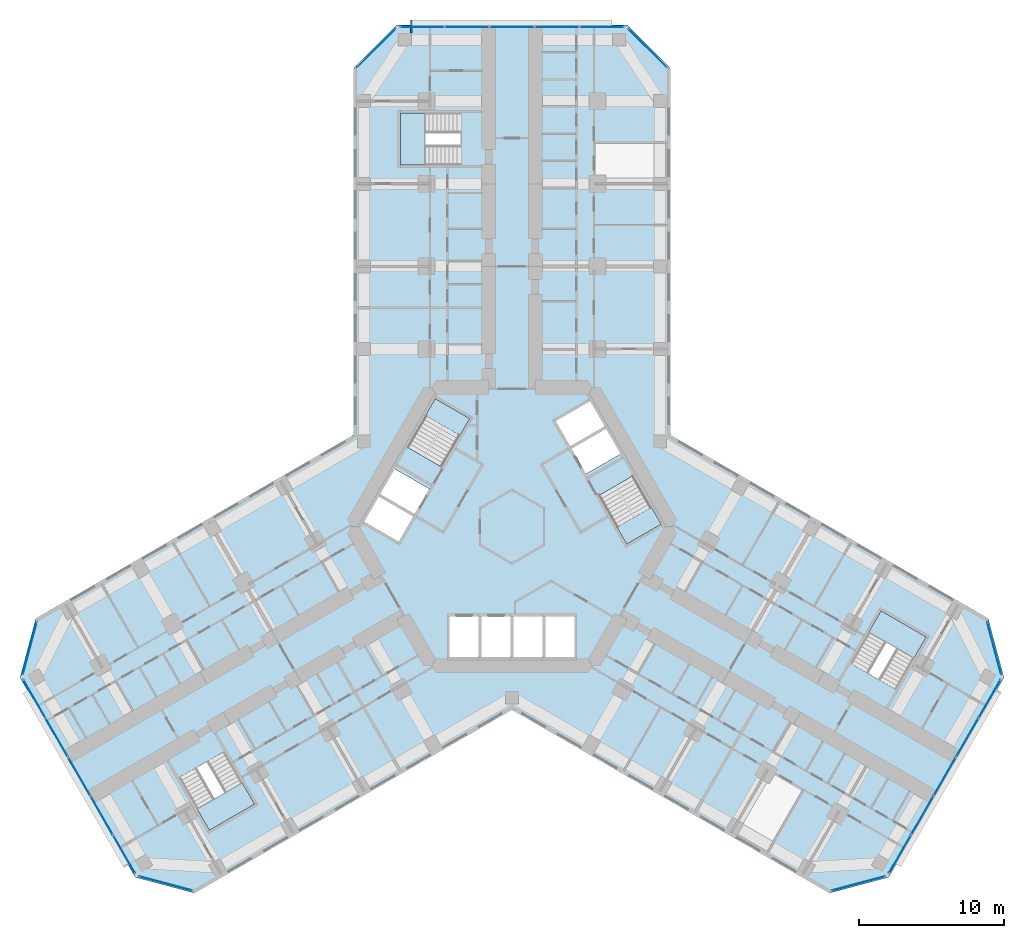
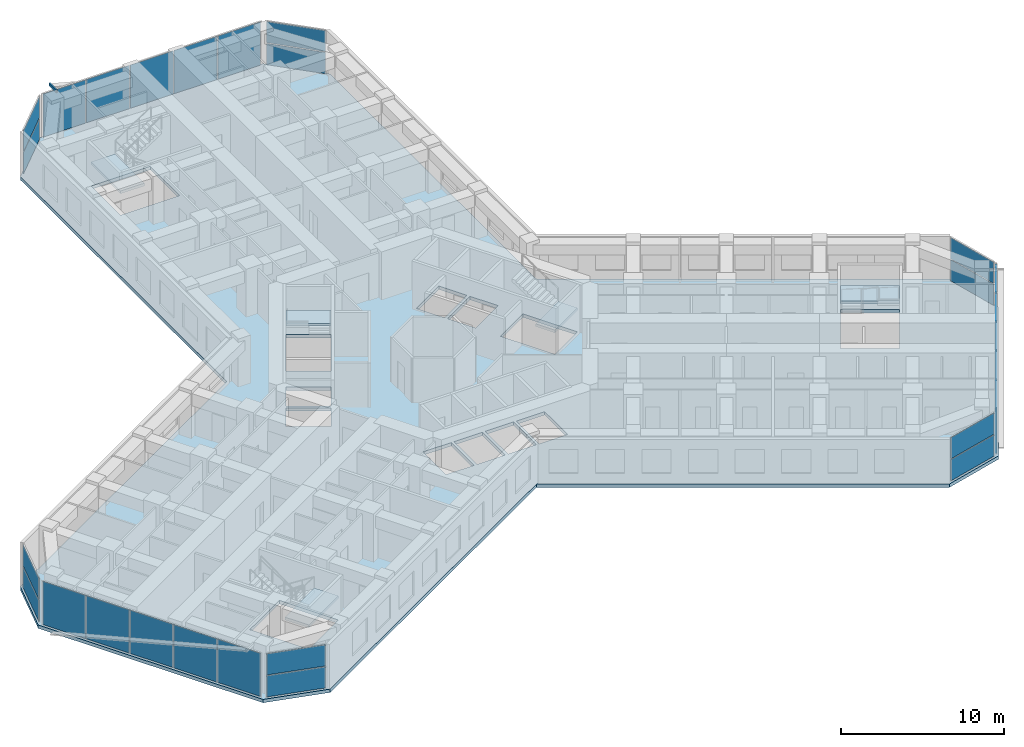
# One storey, part 9 of 21: 27 plates, 6 slabs, 1 member, 14 elements without a shape of their own.
"""IFC4 building model written with IfcOpenShell, lengths in metres."""

from ifc_helpers import new_model, si_unit, direction, frame, origin, origin_2d, place, context, subcontext, project, spatial, polyline, rectangle, hollow_rectangle, outline, extrude, material, layer, layer_set, material_profile, profile_set, type_object, element, aggregate, save


model = new_model("IFC4")

# Units and contexts
model_context = context("Model", 3, precision=1e-05, world=origin(), true_north=direction((0.0, 1.0)))
body_context = subcontext(model_context, "Body", "Model", "MODEL_VIEW")
ifc_project = project(units=[si_unit("LENGTHUNIT", "METRE"), si_unit("AREAUNIT", "SQUARE_METRE"), si_unit("VOLUMEUNIT", "CUBIC_METRE"), si_unit("PLANEANGLEUNIT", "RADIAN"), si_unit("MASSUNIT", "GRAM", prefix="KILO")], contexts=[model_context])

# Site, building, storey
site_placement = place(None, origin())
site = spatial("IfcSite", under=ifc_project, at=site_placement, CompositionType="ELEMENT")
building_placement = place(site_placement, origin())
building = spatial("IfcBuilding", under=site, at=building_placement, Name="Kosmar Iwan School Tower", CompositionType="ELEMENT")
storey_placement = place(building_placement, frame((0.0, 0.0, 98.800048828125)))
storey = spatial("IfcBuildingStorey", under=building, at=storey_placement, Name="L24", CompositionType="ELEMENT", Elevation=98.800048828125)

# Member
ifc_material_1 = material(Name="Steel S355", Category="steel")
ifc_material_profile = material_profile(ifc_material_1, hollow_rectangle(XDim=0.10009765625, YDim=0.199951171875, WallThickness=0.008056640625, at=origin_2d()), Name="RHS 200x100x8")
ifc_profile_set = profile_set([ifc_material_profile], Name="Steel S355")
member_type = type_object("IfcMemberType", Name="Fin bracket RHS 200x100", PredefinedType="USERDEFINED", material=ifc_profile_set)
member_placement = place(storey_placement, frame((-6.949951171875, 34.050048828125, 3.474853515625), z_axis=(0.0, 1.0, 0.0), x_axis=(-1.0, 0.0, 0.0)))
element("IfcMember", 1, at=member_placement, inside=storey, type_object=member_type, Name="Fin bracket L25", ObjectType="FIN BRACKET", PredefinedType="USERDEFINED", context=body_context, shape_type="SweptSolid", body=[
    extrude(hollow_rectangle(XDim=0.10009765625, YDim=0.199951171875, WallThickness=0.008056640625, at=origin_2d()), origin(), (0.0, 0.0, 1.0), 0.89990234375),
])

# Curtain wall, plates
ifc_material_2 = material(Name="Dark glass in black aluminium frame", Category="aluminium")
curtain_wall_type_1 = type_object("IfcCurtainWallType", Name="Chamfer curtain wall dark glass", PredefinedType="USERDEFINED", material=ifc_material_2)
curtain_wall_1_placement = place(storey_placement, origin())
curtain_wall_1 = element("IfcCurtainWall", 2, at=curtain_wall_1_placement, inside=storey, type_object=curtain_wall_type_1, Name="Curtain wall L24-F02", ObjectType="FACETED CURTAIN WALL", PredefinedType="USERDEFINED")
ifc_material_3 = material(Name="Dark glass", Category="glass")
ifc_layer_1 = layer(ifc_material_3, 0.028076171875)
ifc_layer_set_1 = layer_set([ifc_layer_1], Name="Dark glass panel 28")
plate_type = type_object("IfcPlateType", Name="Dark glass panel 28", PredefinedType="CURTAIN_PANEL", material=ifc_layer_set_1)
plate_1_placement = place(storey_placement, frame((23.908203125, -24.61328125, 0.06005859375), z_axis=(0.0, 0.0, 1.0), x_axis=(0.965925875495, 0.258818861462, 0.0)))
plate_1 = element("IfcPlate", 3, at=plate_1_placement, type_object=plate_type, Name="CW2 panel 1.1", PredefinedType="CURTAIN_PANEL", context=body_context, shape_type="SweptSolid", body=[
    extrude(rectangle(XDim=3.718994140625, YDim=0.028076171875, at=origin_2d()), origin(), (0.0, 0.0, 1.0), 1.5849609375),
])
plate_2_placement = place(storey_placement, frame((23.908203125, -24.61328125, 1.705078125), z_axis=(0.0, 0.0, 1.0), x_axis=(0.965925875495, 0.258818861462, 0.0)))
plate_2 = element("IfcPlate", 4, at=plate_2_placement, type_object=plate_type, Name="CW2 panel 1.2", PredefinedType="CURTAIN_PANEL", context=body_context, shape_type="SweptSolid", body=[
    extrude(rectangle(XDim=3.718994140625, YDim=0.028076171875, at=origin_2d()), origin(), (0.0, 0.0, 1.0), 1.5849609375),
])
aggregate(curtain_wall_1, [plate_1, plate_2])

ifc_material_4 = material(Name="Dark glass in black aluminium frame", Category="aluminium")
curtain_wall_type_2 = type_object("IfcCurtainWallType", Name="Tower curtain wall dark glass", PredefinedType="USERDEFINED", material=ifc_material_4)
curtain_wall_2_placement = place(storey_placement, origin())
curtain_wall_2 = element("IfcCurtainWall", 5, at=curtain_wall_2_placement, inside=storey, type_object=curtain_wall_type_2, Name="Curtain wall L24-F03", ObjectType="UNITISED CURTAIN WALL", PredefinedType="USERDEFINED")
plate_3_placement = place(storey_placement, frame((26.764404296875, -22.592529296875, 0.06005859375), z_axis=(0.0, 0.0, 1.0), x_axis=(0.499999997325, 0.866025405329, 0.0)))
plate_3 = element("IfcPlate", 6, at=plate_3_placement, type_object=plate_type, Name="CW1 panel 1.1", PredefinedType="CURTAIN_PANEL", context=body_context, shape_type="SweptSolid", body=[
    extrude(rectangle(XDim=3.00927734375, YDim=0.028076171875, at=origin_2d()), origin(), (0.0, 0.0, 1.0), 3.22998046875),
])
plate_4_placement = place(storey_placement, frame((28.306640625, -19.921630859375, 0.06005859375), z_axis=(0.0, 0.0, 1.0), x_axis=(0.499999997325, 0.866025405329, 0.0)))
plate_4 = element("IfcPlate", 7, at=plate_4_placement, type_object=plate_type, Name="CW1 panel 2.1", PredefinedType="CURTAIN_PANEL", context=body_context, shape_type="SweptSolid", body=[
    extrude(rectangle(XDim=3.039306640625, YDim=0.028076171875, at=origin_2d()), origin(), (0.0, 0.0, 1.0), 3.22998046875),
])
plate_5_placement = place(storey_placement, frame((29.856201171875, -17.237548828125, 0.06005859375), z_axis=(0.0, 0.0, 1.0), x_axis=(0.499999997325, 0.866025405329, 0.0)))
plate_5 = element("IfcPlate", 8, at=plate_5_placement, type_object=plate_type, Name="CW1 panel 3.1", PredefinedType="CURTAIN_PANEL", context=body_context, shape_type="SweptSolid", body=[
    extrude(rectangle(XDim=3.039306640625, YDim=0.028076171875, at=origin_2d()), origin(), (0.0, 0.0, 1.0), 3.22998046875),
])
plate_6_placement = place(storey_placement, frame((31.40576171875, -14.553466796875, 0.06005859375), z_axis=(0.0, 0.0, 1.0), x_axis=(0.499999997325, 0.866025405329, 0.0)))
plate_6 = element("IfcPlate", 9, at=plate_6_placement, type_object=plate_type, Name="CW1 panel 4.1", PredefinedType="CURTAIN_PANEL", context=body_context, shape_type="SweptSolid", body=[
    extrude(rectangle(XDim=3.039306640625, YDim=0.028076171875, at=origin_2d()), origin(), (0.0, 0.0, 1.0), 3.22998046875),
])
plate_7_placement = place(storey_placement, frame((32.947998046875, -11.88232421875, 0.06005859375), z_axis=(0.0, 0.0, 1.0), x_axis=(0.499999997325, 0.866025405329, 0.0)))
plate_7 = element("IfcPlate", 10, at=plate_7_placement, type_object=plate_type, Name="CW1 panel 5.1", PredefinedType="CURTAIN_PANEL", context=body_context, shape_type="SweptSolid", body=[
    extrude(rectangle(XDim=3.00927734375, YDim=0.028076171875, at=origin_2d()), origin(), (0.0, 0.0, 1.0), 3.22998046875),
])
aggregate(curtain_wall_2, [plate_3, plate_4, plate_5, plate_6, plate_7])

curtain_wall_3_placement = place(storey_placement, origin())
curtain_wall_3 = element("IfcCurtainWall", 11, at=curtain_wall_3_placement, inside=storey, type_object=curtain_wall_type_1, Name="Curtain wall L24-F04", ObjectType="FACETED CURTAIN WALL", PredefinedType="USERDEFINED")
plate_8_placement = place(storey_placement, frame((33.269775390625, -8.3984375, 0.06005859375), z_axis=(0.0, 0.0, 1.0), x_axis=(-0.258818861462, 0.965925875495, 0.0)))
plate_8 = element("IfcPlate", 12, at=plate_8_placement, type_object=plate_type, Name="CW2 panel 1.1", PredefinedType="CURTAIN_PANEL", context=body_context, shape_type="SweptSolid", body=[
    extrude(rectangle(XDim=3.718994140625, YDim=0.028076171875, at=origin_2d()), origin(), (0.0, 0.0, 1.0), 1.5849609375),
])
plate_9_placement = place(storey_placement, frame((33.269775390625, -8.3984375, 1.705078125), z_axis=(0.0, 0.0, 1.0), x_axis=(-0.258818861462, 0.965925875495, 0.0)))
plate_9 = element("IfcPlate", 13, at=plate_9_placement, type_object=plate_type, Name="CW2 panel 1.2", PredefinedType="CURTAIN_PANEL", context=body_context, shape_type="SweptSolid", body=[
    extrude(rectangle(XDim=3.718994140625, YDim=0.028076171875, at=origin_2d()), origin(), (0.0, 0.0, 1.0), 1.5849609375),
])
aggregate(curtain_wall_3, [plate_8, plate_9])

curtain_wall_4_placement = place(storey_placement, origin())
curtain_wall_4 = element("IfcCurtainWall", 14, at=curtain_wall_4_placement, inside=storey, type_object=curtain_wall_type_1, Name="Curtain wall L24-F07", ObjectType="FACETED CURTAIN WALL", PredefinedType="USERDEFINED")
plate_10_placement = place(storey_placement, frame((9.361572265625, 33.01171875, 0.06005859375), z_axis=(0.0, 0.0, 1.0), x_axis=(-0.707106781187, 0.707106781187, 0.0)))
plate_10 = element("IfcPlate", 15, at=plate_10_placement, type_object=plate_type, Name="CW2 panel 1.1", PredefinedType="CURTAIN_PANEL", context=body_context, shape_type="SweptSolid", body=[
    extrude(rectangle(XDim=3.718994140625, YDim=0.028076171875, at=origin_2d()), origin(), (0.0, 0.0, 1.0), 1.5849609375),
])
plate_11_placement = place(storey_placement, frame((9.361572265625, 33.01171875, 1.705078125), z_axis=(0.0, 0.0, 1.0), x_axis=(-0.707106781187, 0.707106781187, 0.0)))
plate_11 = element("IfcPlate", 16, at=plate_11_placement, type_object=plate_type, Name="CW2 panel 1.2", PredefinedType="CURTAIN_PANEL", context=body_context, shape_type="SweptSolid", body=[
    extrude(rectangle(XDim=3.718994140625, YDim=0.028076171875, at=origin_2d()), origin(), (0.0, 0.0, 1.0), 1.5849609375),
])
aggregate(curtain_wall_4, [plate_10, plate_11])

curtain_wall_5_placement = place(storey_placement, origin())
curtain_wall_5 = element("IfcCurtainWall", 17, at=curtain_wall_5_placement, inside=storey, type_object=curtain_wall_type_2, Name="Curtain wall L24-F08", ObjectType="UNITISED CURTAIN WALL", PredefinedType="USERDEFINED")
plate_12_placement = place(storey_placement, frame((6.18359375, 34.47509765625, 0.06005859375), z_axis=(0.0, 0.0, 1.0), x_axis=(-1.0, 0.0, 0.0)))
plate_12 = element("IfcPlate", 18, at=plate_12_placement, type_object=plate_type, Name="CW1 panel 1.1", PredefinedType="CURTAIN_PANEL", context=body_context, shape_type="SweptSolid", body=[
    extrude(rectangle(XDim=3.00927734375, YDim=0.028076171875, at=origin_2d()), origin(), (0.0, 0.0, 1.0), 3.22998046875),
])
plate_13_placement = place(storey_placement, frame((3.099365234375, 34.47509765625, 0.06005859375), z_axis=(0.0, 0.0, 1.0), x_axis=(-1.0, 0.0, 0.0)))
plate_13 = element("IfcPlate", 19, at=plate_13_placement, type_object=plate_type, Name="CW1 panel 2.1", PredefinedType="CURTAIN_PANEL", context=body_context, shape_type="SweptSolid", body=[
    extrude(rectangle(XDim=3.039306640625, YDim=0.028076171875, at=origin_2d()), origin(), (0.0, 0.0, 1.0), 3.22998046875),
])
plate_14_placement = place(storey_placement, frame((0.0, 34.47509765625, 0.06005859375), z_axis=(0.0, 0.0, 1.0), x_axis=(-1.0, 0.0, 0.0)))
plate_14 = element("IfcPlate", 20, at=plate_14_placement, type_object=plate_type, Name="CW1 panel 3.1", PredefinedType="CURTAIN_PANEL", context=body_context, shape_type="SweptSolid", body=[
    extrude(rectangle(XDim=3.039306640625, YDim=0.028076171875, at=origin_2d()), origin(), (0.0, 0.0, 1.0), 3.22998046875),
])
plate_15_placement = place(storey_placement, frame((-3.099365234375, 34.47509765625, 0.06005859375), z_axis=(0.0, 0.0, 1.0), x_axis=(-1.0, 0.0, 0.0)))
plate_15 = element("IfcPlate", 21, at=plate_15_placement, type_object=plate_type, Name="CW1 panel 4.1", PredefinedType="CURTAIN_PANEL", context=body_context, shape_type="SweptSolid", body=[
    extrude(rectangle(XDim=3.039306640625, YDim=0.028076171875, at=origin_2d()), origin(), (0.0, 0.0, 1.0), 3.22998046875),
])
plate_16_placement = place(storey_placement, frame((-6.18359375, 34.47509765625, 0.06005859375), z_axis=(0.0, 0.0, 1.0), x_axis=(-1.0, 0.0, 0.0)))
plate_16 = element("IfcPlate", 22, at=plate_16_placement, type_object=plate_type, Name="CW1 panel 5.1", PredefinedType="CURTAIN_PANEL", context=body_context, shape_type="SweptSolid", body=[
    extrude(rectangle(XDim=3.00927734375, YDim=0.028076171875, at=origin_2d()), origin(), (0.0, 0.0, 1.0), 3.22998046875),
])
aggregate(curtain_wall_5, [plate_12, plate_13, plate_14, plate_15, plate_16])

curtain_wall_6_placement = place(storey_placement, origin())
curtain_wall_6 = element("IfcCurtainWall", 23, at=curtain_wall_6_placement, inside=storey, type_object=curtain_wall_type_1, Name="Curtain wall L24-F09", ObjectType="FACETED CURTAIN WALL", PredefinedType="USERDEFINED")
plate_17_placement = place(storey_placement, frame((-9.361572265625, 33.01171875, 0.06005859375), z_axis=(0.0, 0.0, 1.0), x_axis=(-0.707106781187, -0.707106781187, 0.0)))
plate_17 = element("IfcPlate", 24, at=plate_17_placement, type_object=plate_type, Name="CW2 panel 1.1", PredefinedType="CURTAIN_PANEL", context=body_context, shape_type="SweptSolid", body=[
    extrude(rectangle(XDim=3.718994140625, YDim=0.028076171875, at=origin_2d()), origin(), (0.0, 0.0, 1.0), 1.5849609375),
])
plate_18_placement = place(storey_placement, frame((-9.361572265625, 33.01171875, 1.705078125), z_axis=(0.0, 0.0, 1.0), x_axis=(-0.707106781187, -0.707106781187, 0.0)))
plate_18 = element("IfcPlate", 25, at=plate_18_placement, type_object=plate_type, Name="CW2 panel 1.2", PredefinedType="CURTAIN_PANEL", context=body_context, shape_type="SweptSolid", body=[
    extrude(rectangle(XDim=3.718994140625, YDim=0.028076171875, at=origin_2d()), origin(), (0.0, 0.0, 1.0), 1.5849609375),
])
aggregate(curtain_wall_6, [plate_17, plate_18])

curtain_wall_7_placement = place(storey_placement, origin())
curtain_wall_7 = element("IfcCurtainWall", 26, at=curtain_wall_7_placement, inside=storey, type_object=curtain_wall_type_1, Name="Curtain wall L24-F12", ObjectType="FACETED CURTAIN WALL", PredefinedType="USERDEFINED")
plate_19_placement = place(storey_placement, frame((-33.269775390625, -8.3984375, 0.06005859375), z_axis=(0.0, 0.0, 1.0), x_axis=(-0.258818861462, -0.965925875495, 0.0)))
plate_19 = element("IfcPlate", 27, at=plate_19_placement, type_object=plate_type, Name="CW2 panel 1.1", PredefinedType="CURTAIN_PANEL", context=body_context, shape_type="SweptSolid", body=[
    extrude(rectangle(XDim=3.718994140625, YDim=0.028076171875, at=origin_2d()), origin(), (0.0, 0.0, 1.0), 1.5849609375),
])
plate_20_placement = place(storey_placement, frame((-33.269775390625, -8.3984375, 1.705078125), z_axis=(0.0, 0.0, 1.0), x_axis=(-0.258818861462, -0.965925875495, 0.0)))
plate_20 = element("IfcPlate", 28, at=plate_20_placement, type_object=plate_type, Name="CW2 panel 1.2", PredefinedType="CURTAIN_PANEL", context=body_context, shape_type="SweptSolid", body=[
    extrude(rectangle(XDim=3.718994140625, YDim=0.028076171875, at=origin_2d()), origin(), (0.0, 0.0, 1.0), 1.5849609375),
])
aggregate(curtain_wall_7, [plate_19, plate_20])

curtain_wall_8_placement = place(storey_placement, origin())
curtain_wall_8 = element("IfcCurtainWall", 29, at=curtain_wall_8_placement, inside=storey, type_object=curtain_wall_type_2, Name="Curtain wall L24-F13", ObjectType="UNITISED CURTAIN WALL", PredefinedType="USERDEFINED")
plate_21_placement = place(storey_placement, frame((-32.947998046875, -11.88232421875, 0.06005859375), z_axis=(0.0, 0.0, 1.0), x_axis=(0.499999997325, -0.866025405329, 0.0)))
plate_21 = element("IfcPlate", 30, at=plate_21_placement, type_object=plate_type, Name="CW1 panel 1.1", PredefinedType="CURTAIN_PANEL", context=body_context, shape_type="SweptSolid", body=[
    extrude(rectangle(XDim=3.00927734375, YDim=0.028076171875, at=origin_2d()), origin(), (0.0, 0.0, 1.0), 3.22998046875),
])
plate_22_placement = place(storey_placement, frame((-31.40576171875, -14.553466796875, 0.06005859375), z_axis=(0.0, 0.0, 1.0), x_axis=(0.499999997325, -0.866025405329, 0.0)))
plate_22 = element("IfcPlate", 31, at=plate_22_placement, type_object=plate_type, Name="CW1 panel 2.1", PredefinedType="CURTAIN_PANEL", context=body_context, shape_type="SweptSolid", body=[
    extrude(rectangle(XDim=3.039306640625, YDim=0.028076171875, at=origin_2d()), origin(), (0.0, 0.0, 1.0), 3.22998046875),
])
plate_23_placement = place(storey_placement, frame((-29.856201171875, -17.237548828125, 0.06005859375), z_axis=(0.0, 0.0, 1.0), x_axis=(0.499999997325, -0.866025405329, 0.0)))
plate_23 = element("IfcPlate", 32, at=plate_23_placement, type_object=plate_type, Name="CW1 panel 3.1", PredefinedType="CURTAIN_PANEL", context=body_context, shape_type="SweptSolid", body=[
    extrude(rectangle(XDim=3.039306640625, YDim=0.028076171875, at=origin_2d()), origin(), (0.0, 0.0, 1.0), 3.22998046875),
])
plate_24_placement = place(storey_placement, frame((-28.306640625, -19.921630859375, 0.06005859375), z_axis=(0.0, 0.0, 1.0), x_axis=(0.499999997325, -0.866025405329, 0.0)))
plate_24 = element("IfcPlate", 33, at=plate_24_placement, type_object=plate_type, Name="CW1 panel 4.1", PredefinedType="CURTAIN_PANEL", context=body_context, shape_type="SweptSolid", body=[
    extrude(rectangle(XDim=3.039306640625, YDim=0.028076171875, at=origin_2d()), origin(), (0.0, 0.0, 1.0), 3.22998046875),
])
plate_25_placement = place(storey_placement, frame((-26.764404296875, -22.592529296875, 0.06005859375), z_axis=(0.0, 0.0, 1.0), x_axis=(0.499999997325, -0.866025405329, 0.0)))
plate_25 = element("IfcPlate", 34, at=plate_25_placement, type_object=plate_type, Name="CW1 panel 5.1", PredefinedType="CURTAIN_PANEL", context=body_context, shape_type="SweptSolid", body=[
    extrude(rectangle(XDim=3.00927734375, YDim=0.028076171875, at=origin_2d()), origin(), (0.0, 0.0, 1.0), 3.22998046875),
])
aggregate(curtain_wall_8, [plate_21, plate_22, plate_23, plate_24, plate_25])

curtain_wall_9_placement = place(storey_placement, origin())
curtain_wall_9 = element("IfcCurtainWall", 35, at=curtain_wall_9_placement, inside=storey, type_object=curtain_wall_type_1, Name="Curtain wall L24-F14", ObjectType="FACETED CURTAIN WALL", PredefinedType="USERDEFINED")
plate_26_placement = place(storey_placement, frame((-23.908203125, -24.61328125, 0.06005859375), z_axis=(0.0, 0.0, 1.0), x_axis=(0.965925875495, -0.258818861462, 0.0)))
plate_26 = element("IfcPlate", 36, at=plate_26_placement, type_object=plate_type, Name="CW2 panel 1.1", PredefinedType="CURTAIN_PANEL", context=body_context, shape_type="SweptSolid", body=[
    extrude(rectangle(XDim=3.718994140625, YDim=0.028076171875, at=origin_2d()), origin(), (0.0, 0.0, 1.0), 1.5849609375),
])
plate_27_placement = place(storey_placement, frame((-23.908203125, -24.61328125, 1.705078125), z_axis=(0.0, 0.0, 1.0), x_axis=(0.965925875495, -0.258818861462, 0.0)))
plate_27 = element("IfcPlate", 37, at=plate_27_placement, type_object=plate_type, Name="CW2 panel 1.2", PredefinedType="CURTAIN_PANEL", context=body_context, shape_type="SweptSolid", body=[
    extrude(rectangle(XDim=3.718994140625, YDim=0.028076171875, at=origin_2d()), origin(), (0.0, 0.0, 1.0), 1.5849609375),
])
aggregate(curtain_wall_9, [plate_26, plate_27])

# Stair, slab
ifc_material_5 = material(Name="Concrete C35/45", Category="concrete")
stair_type_1 = type_object("IfcStairType", Name="Escape stair 3600", PredefinedType="HALF_TURN_STAIR", material=ifc_material_5)
stair_1_placement = place(storey_placement, origin())
stair_1 = element("IfcStair", 38, at=stair_1_placement, inside=storey, type_object=stair_type_1, Name="Stair WS1 L24", PredefinedType="HALF_TURN_STAIR")
ifc_material_6 = material(Name="Concrete C35/45", Category="concrete")
ifc_layer_2 = layer(ifc_material_6, 0.199951171875)
ifc_layer_set_2 = layer_set([ifc_layer_2], Name="Escape stair landing 200")
slab_type_1 = type_object("IfcSlabType", Name="Escape stair landing 200", PredefinedType="LANDING", material=ifc_layer_set_2)
slab_1_placement = place(storey_placement, frame((0.0, 0.0, 1.599853515625)))
slab_1 = element("IfcSlab", 39, at=slab_1_placement, type_object=slab_type_1, Name="WS1 landing 1", PredefinedType="LANDING", context=body_context, shape_type="SweptSolid", body=[
    extrude(outline(polyline([(-6.0, 24.949951171875), (-6.0, 28.550048828125), (-7.699951171875, 28.550048828125), (-7.699951171875, 24.949951171875), (-6.0, 24.949951171875)])), origin(), (0.0, 0.0, 1.0), 0.2001953125),
])
aggregate(stair_1, [slab_1])

stair_2_placement = place(storey_placement, origin())
stair_2 = element("IfcStair", 40, at=stair_2_placement, inside=storey, type_object=stair_type_1, Name="Stair WS2 L24", PredefinedType="HALF_TURN_STAIR")
slab_2_placement = place(storey_placement, frame((0.0, 0.0, 1.599853515625)))
slab_2 = element("IfcSlab", 41, at=slab_2_placement, type_object=slab_type_1, Name="WS2 landing 1", PredefinedType="LANDING", context=body_context, shape_type="SweptSolid", body=[
    extrude(outline(polyline([(-18.607421875, -17.671142578125), (-21.72509765625, -19.47119140625), (-20.875, -20.943359375), (-17.75732421875, -19.143310546875), (-18.607421875, -17.671142578125)])), origin(), (0.0, 0.0, 1.0), 0.2001953125),
])
aggregate(stair_2, [slab_2])

stair_3_placement = place(storey_placement, origin())
stair_3 = element("IfcStair", 42, at=stair_3_placement, inside=storey, type_object=stair_type_1, Name="Stair WS3 L24", PredefinedType="HALF_TURN_STAIR")
slab_3_placement = place(storey_placement, frame((0.0, 0.0, 1.599853515625)))
slab_3 = element("IfcSlab", 43, at=slab_3_placement, type_object=slab_type_1, Name="WS3 landing 1", PredefinedType="LANDING", context=body_context, shape_type="SweptSolid", body=[
    extrude(outline(polyline([(24.607421875, -7.27880859375), (27.72509765625, -9.078857421875), (28.574951171875, -7.606689453125), (25.457275390625, -5.806640625), (24.607421875, -7.27880859375)])), origin(), (0.0, 0.0, 1.0), 0.2001953125),
])
aggregate(stair_3, [slab_3])

# Slab
ifc_material_7 = material(Name="Concrete C35/45", Category="concrete")
ifc_layer_3 = layer(ifc_material_7, 0.25)
ifc_layer_set_3 = layer_set([ifc_layer_3], Name="Floor slab 250")
slab_type_2 = type_object("IfcSlabType", Name="Floor slab 250", PredefinedType="FLOOR", material=ifc_layer_set_3)
slab_4_placement = place(storey_placement, frame((0.0, 0.0, -0.25)))
element("IfcSlab", 44, at=slab_4_placement, inside=storey, type_object=slab_type_2, Name="L24 floor slab", PredefinedType="FLOOR", context=body_context, shape_type="SweptSolid", body=[
    extrude(outline(polyline([(-21.891357421875, -25.282958984375), (0.0, -12.64404296875), (21.891357421875, -25.282958984375), (25.989501953125, -24.184814453125), (33.939453125, -10.4150390625), (32.84130859375, -6.317138671875), (10.949951171875, 6.322021484375), (10.949951171875, 31.60009765625), (7.949951171875, 34.60009765625), (-7.949951171875, 34.60009765625), (-10.949951171875, 31.60009765625), (-10.949951171875, 6.322021484375), (-32.84130859375, -6.317138671875), (-33.939453125, -10.4150390625), (-25.989501953125, -24.184814453125), (-21.891357421875, -25.282958984375)]), holes=[polyline([(7.91259765625, -1.205078125), (10.294189453125, 0.169921875), (8.3642578125, 3.5126953125), (5.982666015625, 2.1376953125), (7.91259765625, -1.205078125)]), polyline([(-2.91259765625, 7.455078125), (-5.294189453125, 8.830078125), (-7.22412109375, 5.4873046875), (-4.8427734375, 4.1123046875), (-2.91259765625, 7.455078125)]), polyline([(-5.712646484375, 2.60546875), (-8.09423828125, 3.98046875), (-9.09423828125, 2.248291015625), (-6.712646484375, 0.873291015625), (-5.712646484375, 2.60546875)]), polyline([(-6.812744140625, 0.7001953125), (-9.1943359375, 2.0751953125), (-10.1943359375, 0.343017578125), (-7.812744140625, -1.031982421875), (-6.812744140625, 0.7001953125)]), polyline([(5.112548828125, 3.64453125), (7.494140625, 5.01953125), (6.494140625, 6.751708984375), (4.112548828125, 5.376708984375), (5.112548828125, 3.64453125)]), polyline([(4.0126953125, 5.5498046875), (6.394287109375, 6.9248046875), (5.394287109375, 8.656982421875), (3.0126953125, 7.281982421875), (4.0126953125, 5.5498046875)]), polyline([(-4.300048828125, -6.199951171875), (-4.300048828125, -9.0), (-2.300048828125, -9.0), (-2.300048828125, -6.199951171875), (-4.300048828125, -6.199951171875)]), polyline([(-2.10009765625, -6.199951171875), (-2.10009765625, -9.0), (-0.10009765625, -9.0), (-0.10009765625, -6.199951171875), (-2.10009765625, -6.199951171875)]), polyline([(0.10009765625, -6.199951171875), (0.10009765625, -9.0), (2.10009765625, -9.0), (2.10009765625, -6.199951171875), (0.10009765625, -6.199951171875)]), polyline([(2.300048828125, -6.199951171875), (2.300048828125, -9.0), (4.300048828125, -9.0), (4.300048828125, -6.199951171875), (2.300048828125, -6.199951171875)]), polyline([(-3.52001953125, 24.949951171875), (-3.52001953125, 28.550048828125), (-7.699951171875, 28.550048828125), (-7.699951171875, 24.949951171875), (-3.52001953125, 24.949951171875)]), polyline([(-19.847412109375, -15.5234375), (-22.965087890625, -17.323486328125), (-20.875, -20.943359375), (-17.75732421875, -19.143310546875), (-19.847412109375, -15.5234375)]), polyline([(23.367431640625, -9.426513671875), (26.485107421875, -11.2265625), (28.574951171875, -7.606689453125), (25.457275390625, -5.806640625), (23.367431640625, -9.426513671875)])]), origin(), (0.0, 0.0, 1.0), 0.25),
])

# Stair, slab
ifc_material_8 = material(Name="Concrete C35/45", Category="concrete")
stair_type_2 = type_object("IfcStairType", Name="Core stair 2750", PredefinedType="HALF_TURN_STAIR", material=ifc_material_8)
stair_4_placement = place(storey_placement, origin())
stair_4 = element("IfcStair", 45, at=stair_4_placement, inside=storey, type_object=stair_type_2, Name="Stair ST2 L24", PredefinedType="HALF_TURN_STAIR")
ifc_material_9 = material(Name="Concrete C35/45", Category="concrete")
ifc_layer_4 = layer(ifc_material_9, 0.199951171875)
ifc_layer_set_4 = layer_set([ifc_layer_4], Name="Stair landing 200")
slab_type_3 = type_object("IfcSlabType", Name="Stair landing 200", PredefinedType="LANDING", material=ifc_layer_set_4)
slab_5_placement = place(storey_placement, frame((0.0, 0.0, 1.599853515625)))
slab_5 = element("IfcSlab", 46, at=slab_5_placement, type_object=slab_type_3, Name="ST2 landing 1", PredefinedType="LANDING", context=body_context, shape_type="SweptSolid", body=[
    extrude(outline(polyline([(-2.91259765625, 7.455078125), (-5.294189453125, 8.830078125), (-5.97412109375, 7.65234375), (-3.5927734375, 6.27734375), (-2.91259765625, 7.455078125)])), origin(), (0.0, 0.0, 1.0), 0.2001953125),
])
aggregate(stair_4, [slab_5])

stair_5_placement = place(storey_placement, origin())
stair_5 = element("IfcStair", 47, at=stair_5_placement, inside=storey, type_object=stair_type_2, Name="Stair ST1 L24", PredefinedType="HALF_TURN_STAIR")
slab_6_placement = place(storey_placement, frame((0.0, 0.0, 1.599853515625)))
slab_6 = element("IfcSlab", 48, at=slab_6_placement, type_object=slab_type_3, Name="ST1 landing 1", PredefinedType="LANDING", context=body_context, shape_type="SweptSolid", body=[
    extrude(outline(polyline([(7.91259765625, -1.205078125), (10.294189453125, 0.169921875), (9.6142578125, 1.34765625), (7.232666015625, -0.02734375), (7.91259765625, -1.205078125)])), origin(), (0.0, 0.0, 1.0), 0.2001953125),
])
aggregate(stair_5, [slab_6])

save(model, "model.ifc")
